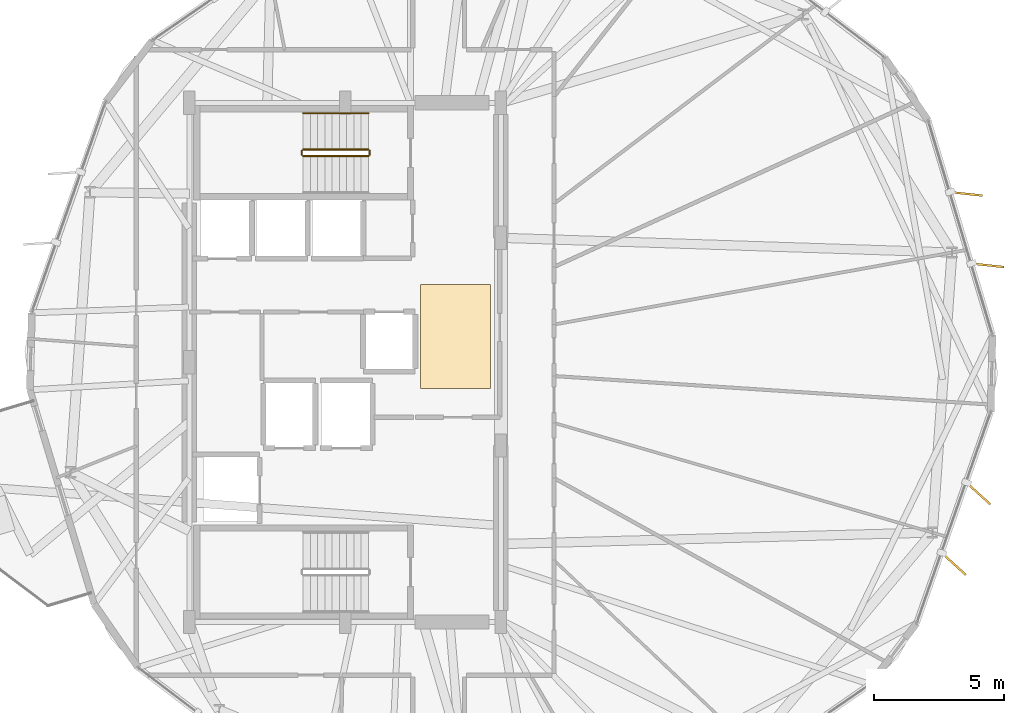
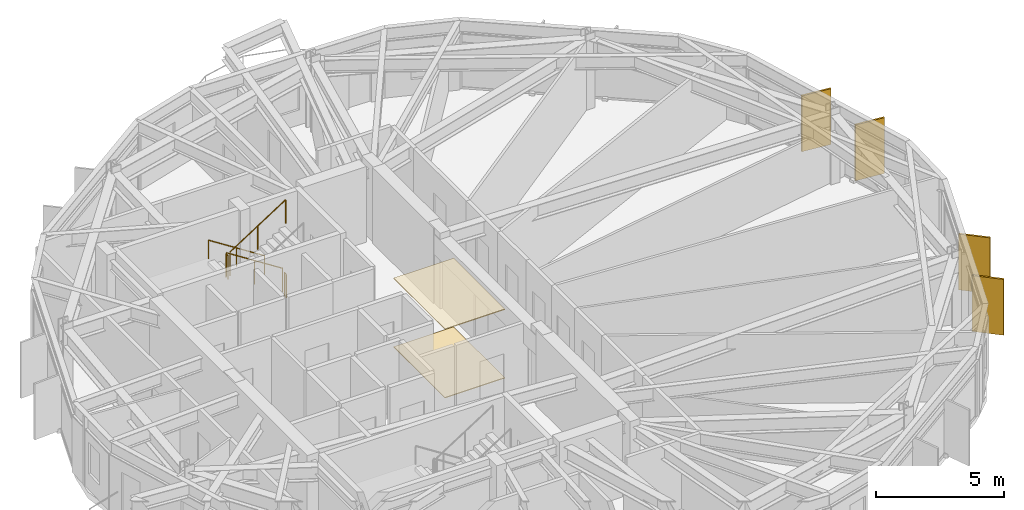
# One storey, part 21 of 22: 5 railings, 4 shading devices, 2 coverings.
"""IFC4 building model written with IfcOpenShell, lengths in metres."""

from ifc_helpers import new_model, si_unit, direction, frame, origin, origin_2d, place, context, subcontext, project, spatial, polyline, rectangle, circle, outline, extrude, material, layer, layer_set, type_object, element, save


model = new_model("IFC4")

# Units and contexts
model_context = context("Model", 3, precision=1e-05, world=origin(), true_north=direction((0.0, 1.0)))
body_context = subcontext(model_context, "Body", "Model", "MODEL_VIEW")
ifc_project = project(units=[si_unit("LENGTHUNIT", "METRE"), si_unit("AREAUNIT", "SQUARE_METRE"), si_unit("VOLUMEUNIT", "CUBIC_METRE"), si_unit("PLANEANGLEUNIT", "RADIAN"), si_unit("MASSUNIT", "GRAM", prefix="KILO")], contexts=[model_context])

# Site, building, storey
site_placement = place(None, origin())
site = spatial("IfcSite", under=ifc_project, at=site_placement, CompositionType="ELEMENT")
building_placement = place(site_placement, origin())
building = spatial("IfcBuilding", under=site, at=building_placement, Name="Soratama Intermodal Tower", CompositionType="ELEMENT")
storey_placement = place(building_placement, frame((0.0, 0.0, 160.60009765625)))
storey = spatial("IfcBuildingStorey", under=building, at=storey_placement, Name="L39", CompositionType="ELEMENT", Elevation=160.60009765625)

# Coverings
ifc_material_1 = material(Name="Perforated mineral acoustic ceiling", Category="concrete")
ifc_layer_1 = layer(ifc_material_1, 0.0400390625)
ifc_layer_set_1 = layer_set([ifc_layer_1], Name="Perforated mineral acoustic ceiling")
covering_type_1 = type_object("IfcCoveringType", Name="CV-CEIL-ACOUSTIC", PredefinedType="CEILING", material=ifc_layer_set_1)
covering_1_placement = place(storey_placement, frame((0.0, 0.0, 3.260009765625)))
element("IfcCovering", 1, at=covering_1_placement, inside=storey, type_object=covering_type_1, Name="L39 Acoustic Ceiling", PredefinedType="CEILING", context=body_context, shape_type="SweptSolid", body=[
    extrude(outline(polyline([(41.5, 24.0), (44.199951171875, 24.0), (44.199951171875, 28.0), (41.5, 28.0), (41.5, 24.0)])), origin(), (0.0, 0.0, 1.0), 0.039794921875),
])
ifc_material_2 = material(Name="Polished Andean stone terrazzo flooring", Category="masonry")
ifc_layer_2 = layer(ifc_material_2, 0.030029296875)
ifc_layer_set_2 = layer_set([ifc_layer_2], Name="Polished Andean stone terrazzo flooring")
covering_type_2 = type_object("IfcCoveringType", Name="CV-FLOR-TERRAZZO", PredefinedType="FLOORING", material=ifc_layer_set_2)
covering_2_placement = place(storey_placement, origin())
element("IfcCovering", 2, at=covering_2_placement, inside=storey, type_object=covering_type_2, Name="L39 Lobby Terrazzo Flooring", PredefinedType="FLOORING", context=body_context, shape_type="SweptSolid", body=[
    extrude(outline(polyline([(41.5, 24.0), (44.199951171875, 24.0), (44.199951171875, 28.0), (41.5, 28.0), (41.5, 24.0)])), origin(), (0.0, 0.0, 1.0), 0.02978515625),
])

# Railings
ifc_material_3 = material(Name="Painted steel stair guardrail", Category="steel")
railing_type_1 = type_object("IfcRailingType", Name="RL-STAIR-GUARD", PredefinedType="GUARDRAIL", material=ifc_material_3)
railing_1_placement = place(storey_placement, frame((39.5, 33.199951171875, 0.179931640625)))
element("IfcRailing", 3, at=railing_1_placement, inside=storey, type_object=railing_type_1, Name="L39 ST-2 stair guard 1", PredefinedType="GUARDRAIL", context=body_context, shape_type="SweptSolid", body=[
    extrude(circle(Radius=0.02392578125, at=origin_2d()), frame((0.0, 0.0, 1.1259765625), z_axis=(-0.841199657755, 0.0, 0.540724639528), x_axis=(0.0, -1.0, 0.0)), (0.0, 0.0, 1.0), 2.995849609375),
    extrude(circle(Radius=0.02099609375, at=origin_2d()), origin(), (0.0, 0.0, 1.0), 1.101806640625),
    extrude(circle(Radius=0.02099609375, at=origin_2d()), frame((-1.260009765625, 0.0, 0.81005859375)), (0.0, 0.0, 1.0), 1.101806640625),
    extrude(circle(Radius=0.02099609375, at=origin_2d()), frame((-2.52001953125, 0.0, 1.619873046875)), (0.0, 0.0, 1.0), 1.101806640625),
])
railing_2_placement = place(storey_placement, frame((36.929931640625, 33.14990234375, 1.7998046875)))
element("IfcRailing", 4, at=railing_2_placement, inside=storey, type_object=railing_type_1, Name="L39 ST-2 stair guard 2", PredefinedType="GUARDRAIL", context=body_context, shape_type="SweptSolid", body=[
    extrude(circle(Radius=0.02392578125, at=origin_2d()), frame((0.0, 0.0, 1.1259765625), z_axis=(0.0, -1.0, 0.0), x_axis=(1.0, 0.0, 0.0)), (0.0, 0.0, 1.0), 0.14990234375),
    extrude(circle(Radius=0.02099609375, at=origin_2d()), origin(), (0.0, 0.0, 1.0), 1.101806640625),
    extrude(circle(Radius=0.02099609375, at=origin_2d()), frame((0.0, -0.14990234375, 0.0)), (0.0, 0.0, 1.0), 1.101806640625),
])
railing_3_placement = place(storey_placement, frame((36.97998046875, 32.949951171875, 1.97998046875)))
element("IfcRailing", 5, at=railing_3_placement, inside=storey, type_object=railing_type_1, Name="L39 ST-2 stair guard 3", PredefinedType="GUARDRAIL", context=body_context, shape_type="SweptSolid", body=[
    extrude(circle(Radius=0.02392578125, at=origin_2d()), frame((0.0, 0.0, 1.1259765625), z_axis=(0.841199657755, 0.0, 0.540724639528), x_axis=(0.0, 1.0, 0.0)), (0.0, 0.0, 1.0), 2.995849609375),
    extrude(circle(Radius=0.02099609375, at=origin_2d()), origin(), (0.0, 0.0, 1.0), 1.101806640625),
    extrude(circle(Radius=0.02099609375, at=origin_2d()), frame((1.260009765625, 0.0, 0.81005859375)), (0.0, 0.0, 1.0), 1.101806640625),
    extrude(circle(Radius=0.02099609375, at=origin_2d()), frame((2.52001953125, 0.0, 1.619873046875)), (0.0, 0.0, 1.0), 1.101806640625),
])
railing_4_placement = place(storey_placement, frame((39.550048828125, 33.14990234375, 0.0)))
element("IfcRailing", 6, at=railing_4_placement, inside=storey, type_object=railing_type_1, Name="L39 ST-2 stair guard 4", PredefinedType="GUARDRAIL", context=body_context, shape_type="SweptSolid", body=[
    extrude(circle(Radius=0.02392578125, at=origin_2d()), frame((0.0, 0.0, 1.1259765625), z_axis=(0.0, -1.0, 0.0), x_axis=(1.0, 0.0, 0.0)), (0.0, 0.0, 1.0), 0.14990234375),
    extrude(circle(Radius=0.02099609375, at=origin_2d()), origin(), (0.0, 0.0, 1.0), 1.101806640625),
    extrude(circle(Radius=0.02099609375, at=origin_2d()), frame((0.0, -0.14990234375, 0.0)), (0.0, 0.0, 1.0), 1.101806640625),
])
ifc_material_4 = material(Name="Brushed stainless steel handrail", Category="steel")
railing_type_2 = type_object("IfcRailingType", Name="RL-STAIR-HAND", PredefinedType="HANDRAIL", material=ifc_material_4)
railing_5_placement = place(storey_placement, frame((39.5, 34.60009765625, 0.179931640625)))
element("IfcRailing", 7, at=railing_5_placement, inside=storey, type_object=railing_type_2, Name="L39 ST-2 stair handrail 1", PredefinedType="HANDRAIL", context=body_context, shape_type="SweptSolid", body=[
    extrude(circle(Radius=0.02392578125, at=origin_2d()), frame((0.0, 0.0, 0.8759765625), z_axis=(-0.841199657755, 0.0, 0.540724639528), x_axis=(0.0, -1.0, 0.0)), (0.0, 0.0, 1.0), 2.995849609375),
    extrude(circle(Radius=0.02099609375, at=origin_2d()), origin(), (0.0, 0.0, 1.0), 0.851806640625),
    extrude(circle(Radius=0.02099609375, at=origin_2d()), frame((-1.260009765625, 0.0, 0.81005859375)), (0.0, 0.0, 1.0), 0.851806640625),
    extrude(circle(Radius=0.02099609375, at=origin_2d()), frame((-2.52001953125, 0.0, 1.619873046875)), (0.0, 0.0, 1.0), 0.851806640625),
])

# Shading devices
ifc_material_5 = material(Name="Champagne anodised aluminium solar fin", Category="aluminium")
ifc_layer_3 = layer(ifc_material_5, 0.080078125)
ifc_layer_set_3 = layer_set([ifc_layer_3], Name="Champagne anodised aluminium solar fin")
shading_device_type = type_object("IfcShadingDeviceType", Name="SH-FIN-1250", PredefinedType="USERDEFINED", material=ifc_layer_set_3)
for number, where, z_axis, x_axis, name in (
    (8, (62.052490234375, 17.23388671875, 0.02001953125), (0.0, 0.0, 1.0), (0.741390500932, -0.671073859667, 0.0), "L39 Solar Fin F09-1"),
    (9, (63.00341796875, 19.94580078125, 0.02001953125), (0.0, 0.0, 1.0), (0.741390500932, -0.671073859667, 0.0), "L39 Solar Fin F09-2"),
    (10, (63.360595703125, 28.740234375, 0.02001953125), (0.0, 0.0, 1.0), (0.994244832633, -0.107131754314, 0.0), "L39 Solar Fin F10-1"),
    (11, (62.535888671875, 31.4931640625, 0.02001953125), (0.0, 0.0, 1.0), (0.994244832633, -0.107131754314, 0.0), "L39 Solar Fin F10-2"),
):
    element("IfcShadingDevice", number, at=place(storey_placement, frame(where, z_axis=z_axis, x_axis=x_axis)), inside=storey, type_object=shading_device_type, Name=name, ObjectType="FIN", PredefinedType="USERDEFINED", context=body_context, shape_type="SweptSolid", body=[
        extrude(rectangle(XDim=1.25, YDim=0.080078125, at=origin_2d()), origin(), (0.0, 0.0, 1.0), 2.658935546875),
    ])

save(model, "model.ifc")
